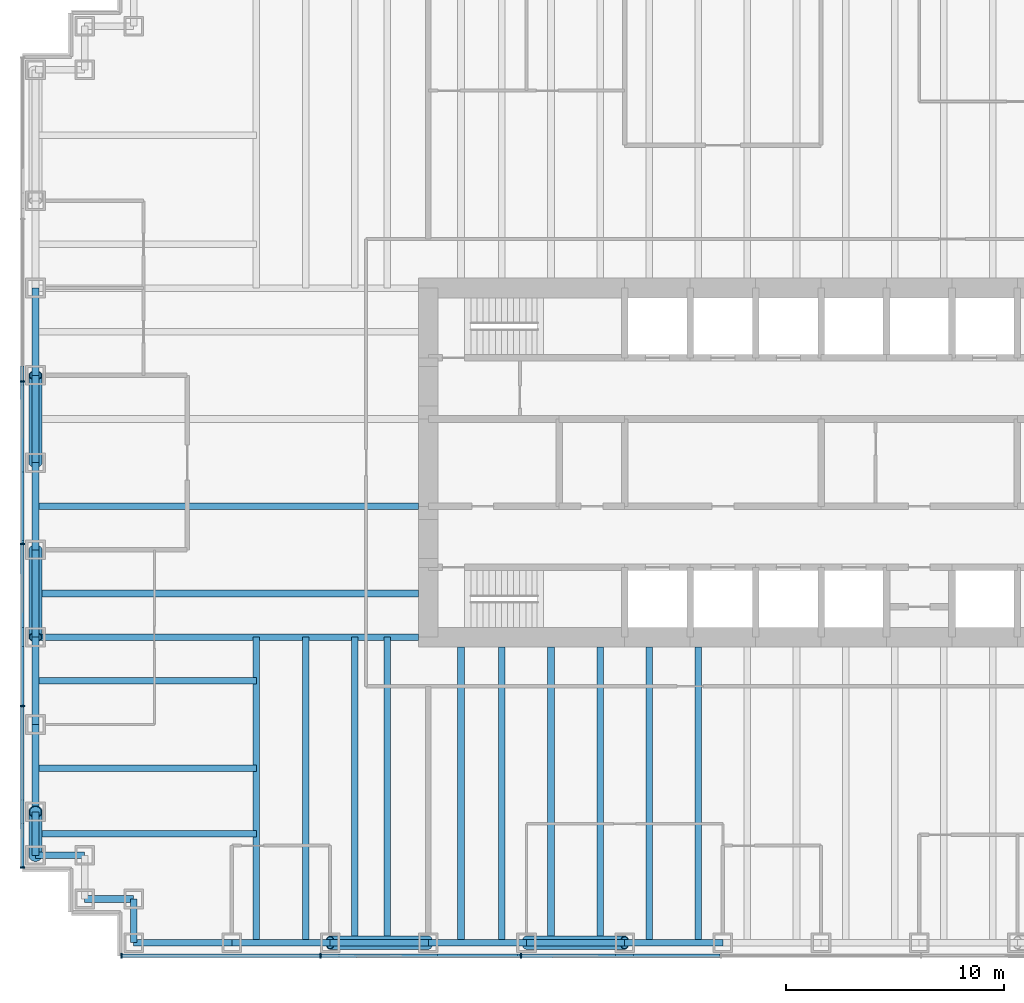
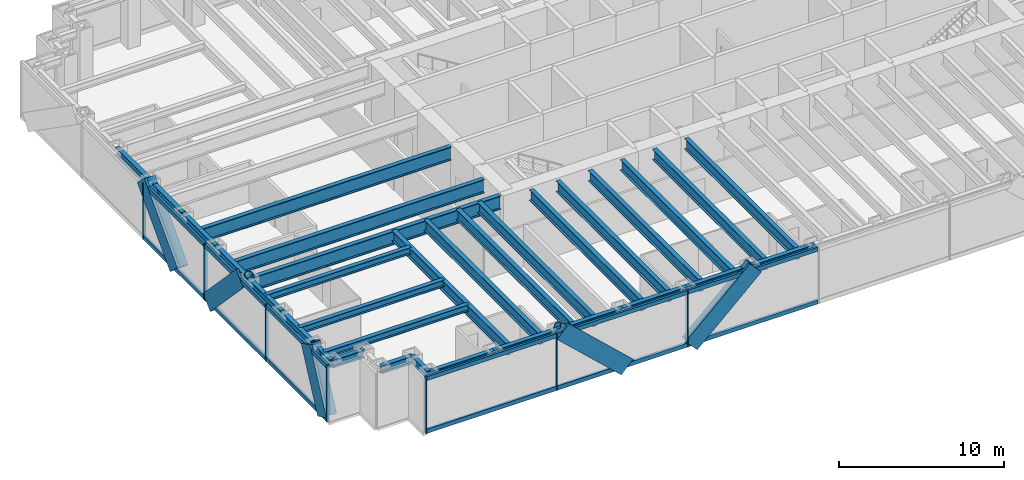
# One storey, part 2 of 15: 32 beams, 29 members, 2 elements without a shape of their own.
"""IFC4 building model written with IfcOpenShell, lengths in metres."""

from ifc_helpers import new_model, si_unit, direction, frame, origin, origin_2d, place, context, subcontext, project, spatial, rectangle, hollow_circle, i_section, extrude, material, material_profile, profile_set, type_object, element, aggregate, save


model = new_model("IFC4")

# Units and contexts
model_context = context("Model", 3, precision=1e-05, world=origin(), true_north=direction((0.0, 1.0)))
body_context = subcontext(model_context, "Body", "Model", "MODEL_VIEW")
ifc_project = project(units=[si_unit("LENGTHUNIT", "METRE"), si_unit("AREAUNIT", "SQUARE_METRE"), si_unit("VOLUMEUNIT", "CUBIC_METRE"), si_unit("PLANEANGLEUNIT", "RADIAN"), si_unit("MASSUNIT", "GRAM", prefix="KILO")], contexts=[model_context])

# Site, building, storey
site_placement = place(None, origin())
site = spatial("IfcSite", under=ifc_project, at=site_placement, CompositionType="ELEMENT")
building_placement = place(site_placement, origin())
building = spatial("IfcBuilding", under=site, at=building_placement, Name="Rheinbord Bourse Tower", CompositionType="ELEMENT")
storey_placement = place(building_placement, frame((0.0, 0.0, 142.5)))
storey = spatial("IfcBuildingStorey", under=building, at=storey_placement, Name="L31", CompositionType="ELEMENT", Elevation=142.5)

# Curtain wall, members
ifc_material_1 = material(Name="Dark glass and black aluminium", Category="aluminium")
curtain_wall_type = type_object("IfcCurtainWallType", Name="CW2 DARK GLASS CURTAIN WALL", PredefinedType="USERDEFINED", material=ifc_material_1)
curtain_wall_1_placement = place(storey_placement, origin())
curtain_wall_1 = element("IfcCurtainWall", 1, at=curtain_wall_1_placement, inside=storey, type_object=curtain_wall_type, Name="Curtain wall CW2 S L31", ObjectType="UNITISED CURTAIN WALL", PredefinedType="USERDEFINED")
ifc_material_2 = material(Name="Black anodised aluminium", Category="aluminium")
ifc_material_profile_1 = material_profile(ifc_material_2, rectangle(XDim=0.159912109375, YDim=1.2099609375, at=origin_2d()), Name="CW2 DIAGONAL MULLION 1210x160")
ifc_profile_set_1 = profile_set([ifc_material_profile_1], Name="Black anodised aluminium")
member_type_1 = type_object("IfcMemberType", Name="CW2 BLACK DIAGONAL MULLION", PredefinedType="USERDEFINED", material=ifc_profile_set_1)
member_1_placement = place(storey_placement, frame((22.5, 1.39990234375, 0.0), z_axis=(0.73105922506, 0.0, 0.682314010889), x_axis=(0.0, 1.0, 0.0)))
member_1 = element("IfcMember", 2, at=member_1_placement, type_object=member_type_1, Name="CW2 diagonal mullion a", ObjectType="DIAGONAL MULLION", PredefinedType="USERDEFINED", context=body_context, shape_type="SweptSolid", body=[
    extrude(rectangle(XDim=0.159912109375, YDim=1.2099609375, at=origin_2d()), origin(), (0.0, 0.0, 1.0), 6.155517578125),
])
member_2_placement = place(storey_placement, frame((18.0, 1.39990234375, 0.0), z_axis=(-0.73105922506, 0.0, 0.682314010889), x_axis=(0.0, -1.0, 0.0)))
member_2 = element("IfcMember", 3, at=member_2_placement, type_object=member_type_1, Name="CW2 diagonal mullion d", ObjectType="DIAGONAL MULLION", PredefinedType="USERDEFINED", context=body_context, shape_type="SweptSolid", body=[
    extrude(rectangle(XDim=0.159912109375, YDim=1.2099609375, at=origin_2d()), origin(), (0.0, 0.0, 1.0), 6.155517578125),
])

curtain_wall_2_placement = place(storey_placement, origin())
curtain_wall_2 = element("IfcCurtainWall", 4, at=curtain_wall_2_placement, inside=storey, type_object=curtain_wall_type, Name="Curtain wall CW2 W L31", ObjectType="UNITISED CURTAIN WALL", PredefinedType="USERDEFINED")
member_3_placement = place(storey_placement, frame((-0.60009765625, 20.0, 0.0), z_axis=(0.0, -0.689659376744, 0.724133926887), x_axis=(1.0, 0.0, 0.0)))
member_3 = element("IfcMember", 5, at=member_3_placement, type_object=member_type_1, Name="CW2 diagonal mullion a", ObjectType="DIAGONAL MULLION", PredefinedType="USERDEFINED", context=body_context, shape_type="SweptSolid", body=[
    extrude(rectangle(XDim=0.159912109375, YDim=1.2099609375, at=origin_2d()), origin(), (0.0, 0.0, 1.0), 5.800048828125),
])
member_4_placement = place(storey_placement, frame((-0.60009765625, 24.0, 0.0), z_axis=(0.0, 0.689659376744, 0.724133926887), x_axis=(-1.0, 0.0, 0.0)))
member_4 = element("IfcMember", 6, at=member_4_placement, type_object=member_type_1, Name="CW2 diagonal mullion b", ObjectType="DIAGONAL MULLION", PredefinedType="USERDEFINED", context=body_context, shape_type="SweptSolid", body=[
    extrude(rectangle(XDim=0.159912109375, YDim=1.2099609375, at=origin_2d()), origin(), (0.0, 0.0, 1.0), 5.800048828125),
])
member_5_placement = place(storey_placement, frame((-0.60009765625, 6.0, 0.0), z_axis=(0.0, 0.429937654825, 0.902858578607), x_axis=(-1.0, 0.0, 0.0)))
member_5 = element("IfcMember", 7, at=member_5_placement, type_object=member_type_1, Name="CW2 diagonal mullion c", ObjectType="DIAGONAL MULLION", PredefinedType="USERDEFINED", context=body_context, shape_type="SweptSolid", body=[
    extrude(rectangle(XDim=0.159912109375, YDim=1.2099609375, at=origin_2d()), origin(), (0.0, 0.0, 1.0), 4.65185546875),
])

# Member
ifc_material_3 = material(Name="Black anodised aluminium", Category="aluminium")
ifc_material_profile_2 = material_profile(ifc_material_3, rectangle(XDim=0.219970703125, YDim=0.070068359375, at=origin_2d()), Name="CW2 MULLION 70x220")
ifc_profile_set_2 = profile_set([ifc_material_profile_2], Name="Black anodised aluminium")
member_type_2 = type_object("IfcMemberType", Name="CW2 BLACK MULLION", PredefinedType="MULLION", material=ifc_profile_set_2)
member_6_placement = place(storey_placement, frame((3.93505859375, 1.39990234375, 0.0), z_axis=(0.0, 0.0, 1.0), x_axis=(0.0, 1.0, 0.0)))
member_6 = element("IfcMember", 8, at=member_6_placement, type_object=member_type_2, Name="CW2 mullion 1", PredefinedType="MULLION", context=body_context, shape_type="SweptSolid", body=[
    extrude(rectangle(XDim=0.219970703125, YDim=0.070068359375, at=origin_2d()), origin(), (0.0, 0.0, 1.0), 4.199951171875),
])

member_7_placement = place(storey_placement, frame((13.071533203125, 1.39990234375, 0.0), z_axis=(0.0, 0.0, 1.0), x_axis=(0.0, 1.0, 0.0)))
member_7 = element("IfcMember", 9, at=member_7_placement, type_object=member_type_2, Name="CW2 mullion 2", PredefinedType="MULLION", context=body_context, shape_type="SweptSolid", body=[
    extrude(rectangle(XDim=0.219970703125, YDim=0.070068359375, at=origin_2d()), origin(), (0.0, 0.0, 1.0), 4.199951171875),
])

member_8_placement = place(storey_placement, frame((22.242919921875, 1.39990234375, 0.0), z_axis=(0.0, 0.0, 1.0), x_axis=(0.0, 1.0, 0.0)))
member_8 = element("IfcMember", 10, at=member_8_placement, type_object=member_type_2, Name="CW2 mullion 3", PredefinedType="MULLION", context=body_context, shape_type="SweptSolid", body=[
    extrude(rectangle(XDim=0.219970703125, YDim=0.070068359375, at=origin_2d()), origin(), (0.0, 0.0, 1.0), 4.199951171875),
])

member_9_placement = place(storey_placement, frame((-0.60009765625, 27.719970703125, 0.0), z_axis=(0.0, 0.0, 1.0), x_axis=(1.0, 0.0, 0.0)))
member_9 = element("IfcMember", 11, at=member_9_placement, type_object=member_type_2, Name="CW2 mullion 3", PredefinedType="MULLION", context=body_context, shape_type="SweptSolid", body=[
    extrude(rectangle(XDim=0.219970703125, YDim=0.070068359375, at=origin_2d()), origin(), (0.0, 0.0, 1.0), 4.199951171875),
])

member_10_placement = place(storey_placement, frame((-0.60009765625, 20.280029296875, 0.0), z_axis=(0.0, 0.0, 1.0), x_axis=(1.0, 0.0, 0.0)))
member_10 = element("IfcMember", 12, at=member_10_placement, type_object=member_type_2, Name="CW2 mullion 4", PredefinedType="MULLION", context=body_context, shape_type="SweptSolid", body=[
    extrude(rectangle(XDim=0.219970703125, YDim=0.070068359375, at=origin_2d()), origin(), (0.0, 0.0, 1.0), 4.199951171875),
])

member_11_placement = place(storey_placement, frame((-0.60009765625, 12.840087890625, 0.0), z_axis=(0.0, 0.0, 1.0), x_axis=(1.0, 0.0, 0.0)))
member_11 = element("IfcMember", 13, at=member_11_placement, type_object=member_type_2, Name="CW2 mullion 5", PredefinedType="MULLION", context=body_context, shape_type="SweptSolid", body=[
    extrude(rectangle(XDim=0.219970703125, YDim=0.070068359375, at=origin_2d()), origin(), (0.0, 0.0, 1.0), 4.199951171875),
])

member_12_placement = place(storey_placement, frame((-0.60009765625, 5.43505859375, 0.0), z_axis=(0.0, 0.0, 1.0), x_axis=(1.0, 0.0, 0.0)))
member_12 = element("IfcMember", 14, at=member_12_placement, type_object=member_type_2, Name="CW2 mullion 6", PredefinedType="MULLION", context=body_context, shape_type="SweptSolid", body=[
    extrude(rectangle(XDim=0.219970703125, YDim=0.070068359375, at=origin_2d()), origin(), (0.0, 0.0, 1.0), 4.199951171875),
])

ifc_material_4 = material(Name="Black anodised aluminium", Category="aluminium")
ifc_material_profile_3 = material_profile(ifc_material_4, rectangle(XDim=0.159912109375, YDim=0.300048828125, at=origin_2d()), Name="CW2 TRANSOM 300x160")
ifc_profile_set_3 = profile_set([ifc_material_profile_3], Name="Black anodised aluminium")
member_type_3 = type_object("IfcMemberType", Name="CW2 BLACK TRANSOM", PredefinedType="USERDEFINED", material=ifc_profile_set_3)
member_13_placement = place(storey_placement, frame((3.969970703125, 1.39990234375, 0.14990234375), z_axis=(1.0, 0.0, 0.0), x_axis=(0.0, 1.0, 0.0)))
member_13 = element("IfcMember", 15, at=member_13_placement, type_object=member_type_3, Name="CW2 transom 1.1", ObjectType="TRANSOM", PredefinedType="USERDEFINED", context=body_context, shape_type="SweptSolid", body=[
    extrude(rectangle(XDim=0.159912109375, YDim=0.300048828125, at=origin_2d()), origin(), (0.0, 0.0, 1.0), 9.06640625),
])

member_14_placement = place(storey_placement, frame((3.969970703125, 1.39990234375, 4.050048828125), z_axis=(1.0, 0.0, 0.0), x_axis=(0.0, 1.0, 0.0)))
member_14 = element("IfcMember", 16, at=member_14_placement, type_object=member_type_3, Name="CW2 transom 1.2", ObjectType="TRANSOM", PredefinedType="USERDEFINED", context=body_context, shape_type="SweptSolid", body=[
    extrude(rectangle(XDim=0.159912109375, YDim=0.300048828125, at=origin_2d()), origin(), (0.0, 0.0, 1.0), 9.06640625),
])

member_15_placement = place(storey_placement, frame((13.1064453125, 1.39990234375, 0.14990234375), z_axis=(1.0, 0.0, 0.0), x_axis=(0.0, 1.0, 0.0)))
member_15 = element("IfcMember", 17, at=member_15_placement, type_object=member_type_3, Name="CW2 transom 2.1", ObjectType="TRANSOM", PredefinedType="USERDEFINED", context=body_context, shape_type="SweptSolid", body=[
    extrude(rectangle(XDim=0.159912109375, YDim=0.300048828125, at=origin_2d()), origin(), (0.0, 0.0, 1.0), 9.101318359375),
])

member_16_placement = place(storey_placement, frame((13.1064453125, 1.39990234375, 4.050048828125), z_axis=(1.0, 0.0, 0.0), x_axis=(0.0, 1.0, 0.0)))
member_16 = element("IfcMember", 18, at=member_16_placement, type_object=member_type_3, Name="CW2 transom 2.2", ObjectType="TRANSOM", PredefinedType="USERDEFINED", context=body_context, shape_type="SweptSolid", body=[
    extrude(rectangle(XDim=0.159912109375, YDim=0.300048828125, at=origin_2d()), origin(), (0.0, 0.0, 1.0), 9.101318359375),
])

member_17_placement = place(storey_placement, frame((22.27783203125, 1.39990234375, 0.14990234375), z_axis=(1.0, 0.0, 0.0), x_axis=(0.0, 1.0, 0.0)))
member_17 = element("IfcMember", 19, at=member_17_placement, type_object=member_type_3, Name="CW2 transom 3.1", ObjectType="TRANSOM", PredefinedType="USERDEFINED", context=body_context, shape_type="SweptSolid", body=[
    extrude(rectangle(XDim=0.159912109375, YDim=0.300048828125, at=origin_2d()), origin(), (0.0, 0.0, 1.0), 9.1015625),
])

member_18_placement = place(storey_placement, frame((22.27783203125, 1.39990234375, 4.050048828125), z_axis=(1.0, 0.0, 0.0), x_axis=(0.0, 1.0, 0.0)))
member_18 = element("IfcMember", 20, at=member_18_placement, type_object=member_type_3, Name="CW2 transom 3.2", ObjectType="TRANSOM", PredefinedType="USERDEFINED", context=body_context, shape_type="SweptSolid", body=[
    extrude(rectangle(XDim=0.159912109375, YDim=0.300048828125, at=origin_2d()), origin(), (0.0, 0.0, 1.0), 9.1015625),
])

aggregate(curtain_wall_1, [member_6, member_7, member_8, member_13, member_14, member_15, member_16, member_17, member_18, member_1, member_2])

member_19_placement = place(storey_placement, frame((-0.60009765625, 27.68505859375, 0.14990234375), z_axis=(0.0, -1.0, 0.0), x_axis=(1.0, 0.0, 0.0)))
member_19 = element("IfcMember", 21, at=member_19_placement, type_object=member_type_3, Name="CW2 transom 3.1", ObjectType="TRANSOM", PredefinedType="USERDEFINED", context=body_context, shape_type="SweptSolid", body=[
    extrude(rectangle(XDim=0.159912109375, YDim=0.300048828125, at=origin_2d()), origin(), (0.0, 0.0, 1.0), 7.3701171875),
])

member_20_placement = place(storey_placement, frame((-0.60009765625, 27.68505859375, 4.050048828125), z_axis=(0.0, -1.0, 0.0), x_axis=(1.0, 0.0, 0.0)))
member_20 = element("IfcMember", 22, at=member_20_placement, type_object=member_type_3, Name="CW2 transom 3.2", ObjectType="TRANSOM", PredefinedType="USERDEFINED", context=body_context, shape_type="SweptSolid", body=[
    extrude(rectangle(XDim=0.159912109375, YDim=0.300048828125, at=origin_2d()), origin(), (0.0, 0.0, 1.0), 7.3701171875),
])

member_21_placement = place(storey_placement, frame((-0.60009765625, 20.2451171875, 0.14990234375), z_axis=(0.0, -1.0, 0.0), x_axis=(1.0, 0.0, 0.0)))
member_21 = element("IfcMember", 23, at=member_21_placement, type_object=member_type_3, Name="CW2 transom 4.1", ObjectType="TRANSOM", PredefinedType="USERDEFINED", context=body_context, shape_type="SweptSolid", body=[
    extrude(rectangle(XDim=0.159912109375, YDim=0.300048828125, at=origin_2d()), origin(), (0.0, 0.0, 1.0), 7.3701171875),
])

member_22_placement = place(storey_placement, frame((-0.60009765625, 20.2451171875, 4.050048828125), z_axis=(0.0, -1.0, 0.0), x_axis=(1.0, 0.0, 0.0)))
member_22 = element("IfcMember", 24, at=member_22_placement, type_object=member_type_3, Name="CW2 transom 4.2", ObjectType="TRANSOM", PredefinedType="USERDEFINED", context=body_context, shape_type="SweptSolid", body=[
    extrude(rectangle(XDim=0.159912109375, YDim=0.300048828125, at=origin_2d()), origin(), (0.0, 0.0, 1.0), 7.3701171875),
])

member_23_placement = place(storey_placement, frame((-0.60009765625, 12.804931640625, 0.14990234375), z_axis=(0.0, -1.0, 0.0), x_axis=(1.0, 0.0, 0.0)))
member_23 = element("IfcMember", 25, at=member_23_placement, type_object=member_type_3, Name="CW2 transom 5.1", ObjectType="TRANSOM", PredefinedType="USERDEFINED", context=body_context, shape_type="SweptSolid", body=[
    extrude(rectangle(XDim=0.159912109375, YDim=0.300048828125, at=origin_2d()), origin(), (0.0, 0.0, 1.0), 7.3349609375),
])

member_24_placement = place(storey_placement, frame((-0.60009765625, 12.804931640625, 4.050048828125), z_axis=(0.0, -1.0, 0.0), x_axis=(1.0, 0.0, 0.0)))
member_24 = element("IfcMember", 26, at=member_24_placement, type_object=member_type_3, Name="CW2 transom 5.2", ObjectType="TRANSOM", PredefinedType="USERDEFINED", context=body_context, shape_type="SweptSolid", body=[
    extrude(rectangle(XDim=0.159912109375, YDim=0.300048828125, at=origin_2d()), origin(), (0.0, 0.0, 1.0), 7.3349609375),
])

aggregate(curtain_wall_2, [member_9, member_10, member_11, member_12, member_19, member_20, member_21, member_22, member_23, member_24, member_3, member_4, member_5])

# Beams
ifc_material_5 = material(Name="Steel S460", Category="steel")
ifc_material_profile_4 = material_profile(ifc_material_5, i_section(OverallWidth=0.302001953125, OverallDepth=1.008056640625, WebThickness=0.02099609375, FlangeThickness=0.0400390625, at=origin_2d()), Name="HEM 1000")
ifc_profile_set_4 = profile_set([ifc_material_profile_4], Name="Steel S460")
beam_type_1 = type_object("IfcBeamType", Name="END BEAM HEM 1000", PredefinedType="BEAM", material=ifc_profile_set_4)
for number, where, z_axis, x_axis, name in (
    (27, (0.0, 18.0, 3.535888671875), (1.0, 0.0, 0.0), (0.0, 1.0, 0.0), "End beam west 18 L32"),
    (28, (0.0, 22.0, 3.535888671875), (1.0, 0.0, 0.0), (0.0, 1.0, 0.0), "End beam west 22 L32"),
):
    element("IfcBeam", number, at=place(storey_placement, frame(where, z_axis=z_axis, x_axis=x_axis)), inside=storey, type_object=beam_type_1, Name=name, PredefinedType="BEAM", context=body_context, shape_type="SweptSolid", body=[
        extrude(i_section(OverallWidth=0.302001953125, OverallDepth=1.008056640625, WebThickness=0.02099609375, FlangeThickness=0.0400390625, at=origin_2d()), origin(), (0.0, 0.0, 1.0), 17.550048828125),
    ])
ifc_material_6 = material(Name="Steel S460", Category="steel")
ifc_material_profile_5 = material_profile(ifc_material_6, i_section(OverallWidth=0.300048828125, OverallDepth=0.800048828125, WebThickness=0.017578125, FlangeThickness=0.032958984375, at=origin_2d()), Name="HEB 800")
ifc_profile_set_5 = profile_set([ifc_material_profile_5], Name="Steel S460")
beam_type_2 = type_object("IfcBeamType", Name="FLOOR BEAM HEB 800", PredefinedType="BEAM", material=ifc_profile_set_5)
for number, where, z_axis, x_axis, name in (
    (29, (10.125, 2.0, 3.639892578125), (0.0, 1.0, 0.0), (-1.0, 0.0, 0.0), "Floor beam S-9a L32"),
    (30, (12.375, 2.0, 3.639892578125), (0.0, 1.0, 0.0), (-1.0, 0.0, 0.0), "Floor beam S-9b L32"),
    (31, (14.625, 2.0, 3.639892578125), (0.0, 1.0, 0.0), (-1.0, 0.0, 0.0), "Floor beam S-13.5a L32"),
    (32, (16.125, 2.0, 3.639892578125), (0.0, 1.0, 0.0), (-1.0, 0.0, 0.0), "Floor beam S-13.5b L32"),
):
    element("IfcBeam", number, at=place(storey_placement, frame(where, z_axis=z_axis, x_axis=x_axis)), inside=storey, type_object=beam_type_2, Name=name, PredefinedType="BEAM", context=body_context, shape_type="SweptSolid", body=[
        extrude(i_section(OverallWidth=0.300048828125, OverallDepth=0.800048828125, WebThickness=0.017578125, FlangeThickness=0.032958984375, at=origin_2d()), origin(), (0.0, 0.0, 1.0), 14.0),
    ])
for number, where, z_axis, x_axis, name in (
    (33, (19.5, 2.0, 3.639892578125), (0.0, 1.0, 0.0), (-1.0, 0.0, 0.0), "Floor beam S-18a L32"),
    (34, (21.375, 2.0, 3.639892578125), (0.0, 1.0, 0.0), (-1.0, 0.0, 0.0), "Floor beam S-18b L32"),
    (35, (23.625, 2.0, 3.639892578125), (0.0, 1.0, 0.0), (-1.0, 0.0, 0.0), "Floor beam S-22.5a L32"),
    (36, (25.875, 2.0, 3.639892578125), (0.0, 1.0, 0.0), (-1.0, 0.0, 0.0), "Floor beam S-22.5b L32"),
    (37, (28.125, 2.0, 3.639892578125), (0.0, 1.0, 0.0), (-1.0, 0.0, 0.0), "Floor beam S-27a L32"),
    (38, (30.375, 2.0, 3.639892578125), (0.0, 1.0, 0.0), (-1.0, 0.0, 0.0), "Floor beam S-27b L32"),
):
    element("IfcBeam", number, at=place(storey_placement, frame(where, z_axis=z_axis, x_axis=x_axis)), inside=storey, type_object=beam_type_2, Name=name, PredefinedType="BEAM", context=body_context, shape_type="SweptSolid", body=[
        extrude(i_section(OverallWidth=0.300048828125, OverallDepth=0.800048828125, WebThickness=0.017578125, FlangeThickness=0.032958984375, at=origin_2d()), origin(), (0.0, 0.0, 1.0), 13.550048828125),
    ])
ifc_material_7 = material(Name="Steel S460", Category="steel")
ifc_material_profile_6 = material_profile(ifc_material_7, i_section(OverallWidth=0.302001953125, OverallDepth=1.008056640625, WebThickness=0.02099609375, FlangeThickness=0.0400390625, at=origin_2d()), Name="HEM 1000")
ifc_profile_set_6 = profile_set([ifc_material_profile_6], Name="Steel S460")
beam_type_3 = type_object("IfcBeamType", Name="GIRDER HEM 1000", PredefinedType="BEAM", material=ifc_profile_set_6)
beam_1_placement = place(storey_placement, frame((0.0, 16.0, 3.535888671875), z_axis=(1.0, 0.0, 0.0), x_axis=(0.0, 1.0, 0.0)))
element("IfcBeam", 39, at=beam_1_placement, inside=storey, type_object=beam_type_3, Name="Girder west 16 L32", PredefinedType="BEAM", context=body_context, shape_type="SweptSolid", body=[
    extrude(i_section(OverallWidth=0.302001953125, OverallDepth=1.008056640625, WebThickness=0.02099609375, FlangeThickness=0.0400390625, at=origin_2d()), origin(), (0.0, 0.0, 1.0), 17.550048828125),
])

# Members
ifc_material_8 = material(Name="Steel S460", Category="steel")
ifc_material_profile_7 = material_profile(ifc_material_8, hollow_circle(Radius=0.304931640625, WallThickness=0.0400390625, at=origin_2d()), Name="CHS 610x40")
ifc_profile_set_7 = profile_set([ifc_material_profile_7], Name="Steel S460")
member_type_4 = type_object("IfcMemberType", Name="MEGABRACE CHS 610x40", PredefinedType="BRACE", material=ifc_profile_set_7)
for number, where, z_axis, x_axis, name in (
    (40, (22.5, 2.0, 0.0), (0.73105922506, 0.0, 0.682314010889), (0.0, 1.0, 0.0), "Megabrace S face line a L31"),
    (41, (18.0, 2.0, 0.0), (-0.73105922506, 0.0, 0.682314010889), (0.0, -1.0, 0.0), "Megabrace S face line d L31"),
):
    element("IfcMember", number, at=place(storey_placement, frame(where, z_axis=z_axis, x_axis=x_axis)), inside=storey, type_object=member_type_4, Name=name, PredefinedType="BRACE", context=body_context, shape_type="SweptSolid", body=[
        extrude(hollow_circle(Radius=0.304931640625, WallThickness=0.0400390625, at=origin_2d()), origin(), (0.0, 0.0, 1.0), 6.155517578125),
    ])
for number, where, z_axis, x_axis, name in (
    (42, (0.0, 20.0, 0.0), (0.0, -0.689659376744, 0.724133926887), (1.0, 0.0, 0.0), "Megabrace W face line a L31"),
    (43, (0.0, 24.0, 0.0), (0.0, 0.689659376744, 0.724133926887), (-1.0, 0.0, 0.0), "Megabrace W face line b L31"),
):
    element("IfcMember", number, at=place(storey_placement, frame(where, z_axis=z_axis, x_axis=x_axis)), inside=storey, type_object=member_type_4, Name=name, PredefinedType="BRACE", context=body_context, shape_type="SweptSolid", body=[
        extrude(hollow_circle(Radius=0.304931640625, WallThickness=0.0400390625, at=origin_2d()), origin(), (0.0, 0.0, 1.0), 5.800048828125),
    ])
member_25_placement = place(storey_placement, frame((0.0, 6.0, 0.0), z_axis=(0.0, 0.429937654825, 0.902858578607), x_axis=(-1.0, 0.0, 0.0)))
element("IfcMember", 44, at=member_25_placement, inside=storey, type_object=member_type_4, Name="Megabrace W face line c L31", PredefinedType="BRACE", context=body_context, shape_type="SweptSolid", body=[
    extrude(hollow_circle(Radius=0.304931640625, WallThickness=0.0400390625, at=origin_2d()), origin(), (0.0, 0.0, 1.0), 4.65185546875),
])

# Beams
ifc_material_9 = material(Name="Steel S460", Category="steel")
ifc_material_profile_8 = material_profile(ifc_material_9, i_section(OverallWidth=0.305908203125, OverallDepth=0.572021484375, WebThickness=0.02099609375, FlangeThickness=0.0400390625, at=origin_2d()), Name="HEM 550")
ifc_profile_set_8 = profile_set([ifc_material_profile_8], Name="Steel S460")
beam_type_4 = type_object("IfcBeamType", Name="SPANDREL HEM 550", PredefinedType="SPANDREL", material=ifc_profile_set_8)
for number, where, z_axis, x_axis, name in (
    (45, (4.5, 2.0, 3.75390625), (1.0, 0.0, 0.0), (0.0, 1.0, 0.0), "Spandrel SW-E-S-9 under L32"),
    (46, (9.0, 2.0, 3.75390625), (1.0, 0.0, 0.0), (0.0, 1.0, 0.0), "Spandrel S-9-S-13.5 under L32"),
    (47, (13.5, 2.0, 3.75390625), (1.0, 0.0, 0.0), (0.0, 1.0, 0.0), "Spandrel S-13.5-S-18 under L32"),
    (48, (18.0, 2.0, 3.75390625), (1.0, 0.0, 0.0), (0.0, 1.0, 0.0), "Spandrel S-18-S-22.5 under L32"),
    (49, (22.5, 2.0, 3.75390625), (1.0, 0.0, 0.0), (0.0, 1.0, 0.0), "Spandrel S-22.5-S-27 under L32"),
    (50, (27.0, 2.0, 3.75390625), (1.0, 0.0, 0.0), (0.0, 1.0, 0.0), "Spandrel S-27-S-31.5 under L32"),
):
    element("IfcBeam", number, at=place(storey_placement, frame(where, z_axis=z_axis, x_axis=x_axis)), inside=storey, type_object=beam_type_4, Name=name, PredefinedType="SPANDREL", context=body_context, shape_type="SweptSolid", body=[
        extrude(i_section(OverallWidth=0.305908203125, OverallDepth=0.572021484375, WebThickness=0.02099609375, FlangeThickness=0.0400390625, at=origin_2d()), origin(), (0.0, 0.0, 1.0), 4.5),
    ])
for number, where, z_axis, x_axis, name in (
    (51, (0.0, 32.0, 3.75390625), (0.0, -1.0, 0.0), (1.0, 0.0, 0.0), "Spandrel W-32-W-28 under L32"),
    (52, (0.0, 28.0, 3.75390625), (0.0, -1.0, 0.0), (1.0, 0.0, 0.0), "Spandrel W-28-W-24 under L32"),
    (53, (0.0, 24.0, 3.75390625), (0.0, -1.0, 0.0), (1.0, 0.0, 0.0), "Spandrel W-24-W-20 under L32"),
    (54, (0.0, 20.0, 3.75390625), (0.0, -1.0, 0.0), (1.0, 0.0, 0.0), "Spandrel W-20-W-16 under L32"),
    (55, (0.0, 16.0, 3.75390625), (0.0, -1.0, 0.0), (1.0, 0.0, 0.0), "Spandrel W-16-W-12 under L32"),
    (56, (0.0, 12.0, 3.75390625), (0.0, -1.0, 0.0), (1.0, 0.0, 0.0), "Spandrel W-12-W-8 under L32"),
):
    element("IfcBeam", number, at=place(storey_placement, frame(where, z_axis=z_axis, x_axis=x_axis)), inside=storey, type_object=beam_type_4, Name=name, PredefinedType="SPANDREL", context=body_context, shape_type="SweptSolid", body=[
        extrude(i_section(OverallWidth=0.305908203125, OverallDepth=0.572021484375, WebThickness=0.02099609375, FlangeThickness=0.0400390625, at=origin_2d()), origin(), (0.0, 0.0, 1.0), 4.0),
    ])
beam_2_placement = place(storey_placement, frame((0.0, 8.0, 3.75390625), z_axis=(0.0, -1.0, 0.0), x_axis=(1.0, 0.0, 0.0)))
element("IfcBeam", 57, at=beam_2_placement, inside=storey, type_object=beam_type_4, Name="Spandrel W-8-SW-A under L32", PredefinedType="SPANDREL", context=body_context, shape_type="SweptSolid", body=[
    extrude(i_section(OverallWidth=0.305908203125, OverallDepth=0.572021484375, WebThickness=0.02099609375, FlangeThickness=0.0400390625, at=origin_2d()), origin(), (0.0, 0.0, 1.0), 2.0),
])
for number, where, z_axis, x_axis, name in (
    (58, (0.0, 6.0, 3.75390625), (1.0, 0.0, 0.0), (0.0, 1.0, 0.0), "Spandrel SW-A-SW-B under L32"),
    (59, (2.25, 4.0, 3.75390625), (1.0, 0.0, 0.0), (0.0, 1.0, 0.0), "Spandrel SW-C-SW-D under L32"),
):
    element("IfcBeam", number, at=place(storey_placement, frame(where, z_axis=z_axis, x_axis=x_axis)), inside=storey, type_object=beam_type_4, Name=name, PredefinedType="SPANDREL", context=body_context, shape_type="SweptSolid", body=[
        extrude(i_section(OverallWidth=0.305908203125, OverallDepth=0.572021484375, WebThickness=0.02099609375, FlangeThickness=0.0400390625, at=origin_2d()), origin(), (0.0, 0.0, 1.0), 2.25),
    ])
beam_3_placement = place(storey_placement, frame((4.5, 4.0, 3.75390625), z_axis=(0.0, -1.0, 0.0), x_axis=(1.0, 0.0, 0.0)))
element("IfcBeam", 60, at=beam_3_placement, inside=storey, type_object=beam_type_4, Name="Spandrel SW-D-SW-E under L32", PredefinedType="SPANDREL", context=body_context, shape_type="SweptSolid", body=[
    extrude(i_section(OverallWidth=0.305908203125, OverallDepth=0.572021484375, WebThickness=0.02099609375, FlangeThickness=0.0400390625, at=origin_2d()), origin(), (0.0, 0.0, 1.0), 2.0),
])
ifc_material_10 = material(Name="Steel S460", Category="steel")
ifc_material_profile_9 = material_profile(ifc_material_10, i_section(OverallWidth=0.300048828125, OverallDepth=0.5, WebThickness=0.014404296875, FlangeThickness=0.028076171875, at=origin_2d()), Name="HEB 500")
ifc_profile_set_9 = profile_set([ifc_material_profile_9], Name="Steel S460")
beam_type_5 = type_object("IfcBeamType", Name="TIE BEAM HEB 500", PredefinedType="JOIST", material=ifc_profile_set_9)
for number, where, z_axis, x_axis, name in (
    (61, (0.0, 7.0, 3.7900390625), (1.0, 0.0, 0.0), (0.0, 1.0, 0.0), "Tie west 7 L32"),
    (62, (0.0, 10.0, 3.7900390625), (1.0, 0.0, 0.0), (0.0, 1.0, 0.0), "Tie west 10 L32"),
    (63, (0.0, 14.0, 3.7900390625), (1.0, 0.0, 0.0), (0.0, 1.0, 0.0), "Tie west 14 L32"),
):
    element("IfcBeam", number, at=place(storey_placement, frame(where, z_axis=z_axis, x_axis=x_axis)), inside=storey, type_object=beam_type_5, Name=name, PredefinedType="JOIST", context=body_context, shape_type="SweptSolid", body=[
        extrude(i_section(OverallWidth=0.300048828125, OverallDepth=0.5, WebThickness=0.014404296875, FlangeThickness=0.028076171875, at=origin_2d()), origin(), (0.0, 0.0, 1.0), 10.125),
    ])

save(model, "model.ifc")
